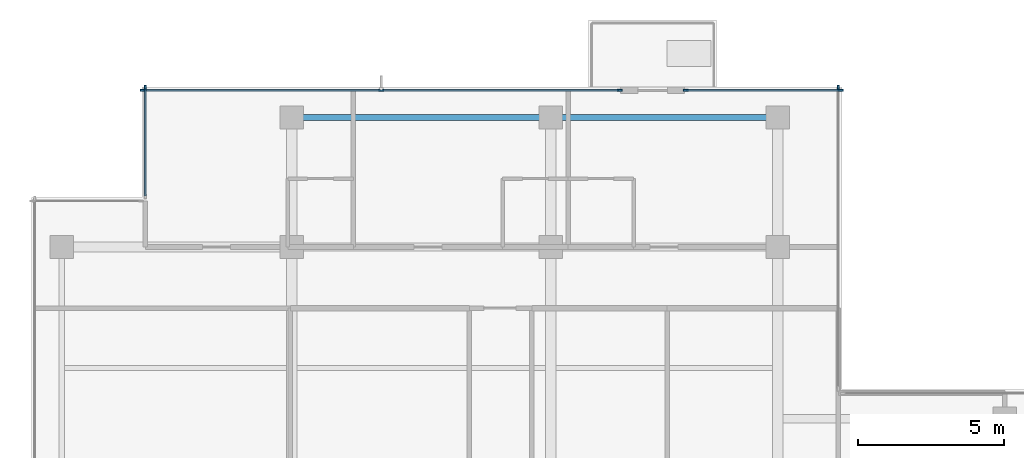
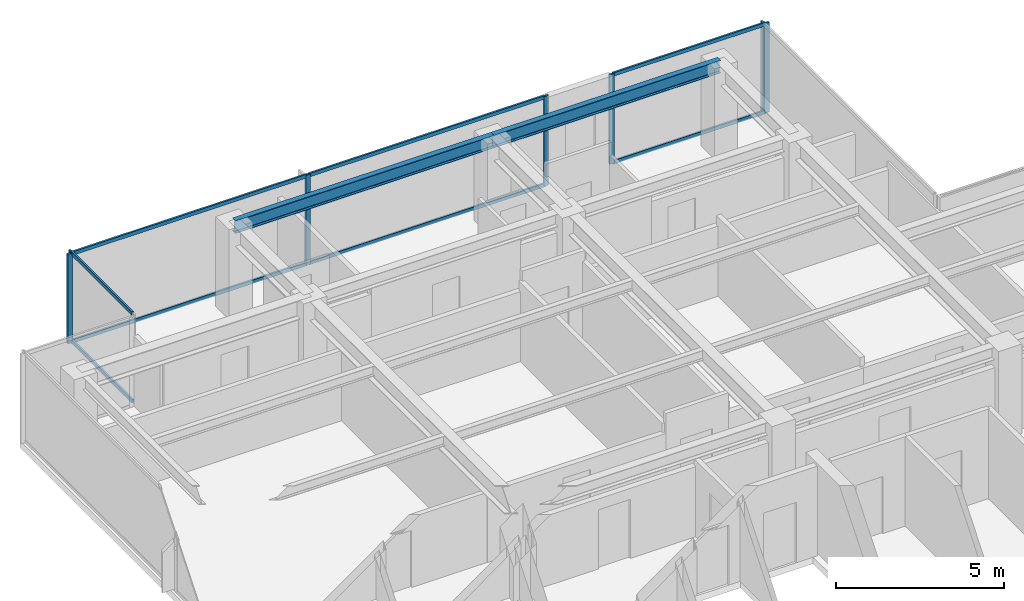
# One storey, part 4 of 11: 15 members, 2 beams, 4 elements without a shape of their own.
"""IFC4 building model written with IfcOpenShell, lengths in metres."""

import ifcopenshell
import ifcopenshell.guid

model = None  # the IFC model being written
_history = None  # IfcOwnerHistory: only IFC2X3 demands one
_inside = {}  # id of a spatial element -> (the spatial element, [elements in it])
_under = {}  # id of a project, library or spatial element -> (it, [spatial elements below it])
_declared = {}  # id of a project -> (the project, [libraries it declares])
_typed = {}  # id of a type object -> (the type object, [elements of that type])
_made_of = {}  # id of a material, layer set ... -> (it, [elements and type objects made of it])


def new_model(schema):
    """Start an empty IFC model of exactly this schema.

    Asked for "IFC4X3", IfcOpenShell would pick the latest addendum, in which some entities
    have other attributes; the version numbers below select the first issue.
    IFC2X3 requires an IfcOwnerHistory on every rooted entity: one is made here for all.
    """
    global model, _history
    if schema == "IFC4X3":
        model = ifcopenshell.file(schema_version=(4, 3, 0, 0))
    else:
        model = ifcopenshell.file(schema=schema)
    _inside.clear()
    _under.clear()
    _declared.clear()
    _typed.clear()
    _made_of.clear()
    _history = None
    if model.schema == "IFC2X3":
        org = make("IfcOrganization", Name="unknown")
        user = make(
            "IfcPersonAndOrganization",
            ThePerson=make("IfcPerson", FamilyName="unknown"),
            TheOrganization=org,
        )
        app = make(
            "IfcApplication",
            ApplicationDeveloper=org,
            Version="unknown",
            ApplicationFullName="unknown",
            ApplicationIdentifier="unknown",
        )
        _history = make(
            "IfcOwnerHistory",
            OwningUser=user,
            OwningApplication=app,
            ChangeAction="ADDED",
            CreationDate=0,
        )
    return model


def make(cls, **values):
    """One entity of the class cls with the attributes given. An attribute that is None is left unset."""
    return model.create_entity(
        cls, **{name: value for name, value in values.items() if value is not None}
    )


def rooted(cls, **values):
    """An entity with a GlobalId (a new one), such as an element, a storey or a relation."""
    return make(cls, GlobalId=ifcopenshell.guid.new(), OwnerHistory=_history, **values)


def si_unit(unit_type, name, prefix=None):
    """IfcSIUnit, for example si_unit("LENGTHUNIT", "METRE", prefix="MILLI")."""
    return make("IfcSIUnit", UnitType=unit_type, Prefix=prefix, Name=name)


def assignment(units):
    """IfcUnitAssignment: the units of a project."""
    return None if units is None else make("IfcUnitAssignment", Units=units)


def point(xyz):
    """IfcCartesianPoint."""
    return None if xyz is None else make("IfcCartesianPoint", Coordinates=xyz)


def direction(xyz):
    """IfcDirection."""
    return None if xyz is None else make("IfcDirection", DirectionRatios=xyz)


def frame(location, z_axis=None, x_axis=None):
    """IfcAxis2Placement3D, a coordinate frame: its origin and axes. An axis left out is left unset."""
    return make(
        "IfcAxis2Placement3D",
        Location=point(location),
        Axis=direction(z_axis),
        RefDirection=direction(x_axis),
    )


def frame_2d(location, x_axis=None):
    """IfcAxis2Placement2D, a coordinate frame in the plane: its origin and x axis."""
    return make(
        "IfcAxis2Placement2D", Location=point(location), RefDirection=direction(x_axis)
    )


def origin():
    """The frame at (0, 0, 0) with its axes left unset."""
    return frame((0.0, 0.0, 0.0))


def origin_2d():
    """The frame at (0, 0) in the plane with its x axis left unset."""
    return frame_2d((0.0, 0.0))


def place(relative_to, where):
    """IfcLocalPlacement: puts the frame where relative to a parent placement (None: the world)."""
    return make(
        "IfcLocalPlacement", PlacementRelTo=relative_to, RelativePlacement=where
    )


def context(
    kind, dimensions, precision=None, world=None, true_north=None, identifier=None
):
    """IfcGeometricRepresentationContext, for example the 3D "Model" context."""
    return make(
        "IfcGeometricRepresentationContext",
        ContextIdentifier=identifier,
        ContextType=kind,
        CoordinateSpaceDimension=dimensions,
        Precision=precision,
        WorldCoordinateSystem=world,
        TrueNorth=true_north,
    )


def subcontext(parent, identifier, kind, view, scale=None):
    """IfcGeometricRepresentationSubContext, for example "Body" below "Model"."""
    return make(
        "IfcGeometricRepresentationSubContext",
        ContextIdentifier=identifier,
        ContextType=kind,
        ParentContext=parent,
        TargetScale=scale,
        TargetView=view,
    )


def project(units=None, contexts=None):
    """IfcProject with its units and contexts."""
    return rooted(
        "IfcProject",
        Name="project",
        RepresentationContexts=contexts,
        UnitsInContext=assignment(units),
    )


def spatial(cls, under=None, at=None, **own):
    """A site, building, storey or space (cls), placed at a placement, below another one or the project."""
    s = rooted(cls, ObjectPlacement=at, **own)
    if under is not None:
        _under.setdefault(under.id(), (under, []))[1].append(s)
    return s


def profile(cls, at=None, kind="AREA", **sizes):
    """A parametric profile (cls). Its sizes go by their IFC names, for example OverallWidth=200.0."""
    return make(cls, ProfileType=kind, Position=at, **sizes)


def rectangle(**sizes):
    """IfcRectangleProfileDef."""
    return profile("IfcRectangleProfileDef", **sizes)


def i_section(**sizes):
    """IfcIShapeProfileDef."""
    return profile("IfcIShapeProfileDef", **sizes)


def extrude(swept, where, along, depth):
    """IfcExtrudedAreaSolid: the profile swept, set in the frame where, extruded along a direction by depth."""
    return make(
        "IfcExtrudedAreaSolid",
        SweptArea=swept,
        Position=where,
        ExtrudedDirection=direction(along),
        Depth=depth,
    )


def shape(context_of_items, identifier, shape_type, items):
    """IfcShapeRepresentation: the items that make up one representation, for example the "Body"."""
    return make(
        "IfcShapeRepresentation",
        ContextOfItems=context_of_items,
        RepresentationIdentifier=identifier,
        RepresentationType=shape_type,
        Items=items,
    )


def material(Name=None, Category=None):
    """IfcMaterial."""
    return make("IfcMaterial", Name=Name, Category=Category)


def layer(
    of_material, thickness, ventilated=None, Name=None, Category=None, Priority=None
):
    """IfcMaterialLayer: one layer of a wall or slab, of a material (None: an air gap)."""
    return make(
        "IfcMaterialLayer",
        Material=of_material,
        LayerThickness=thickness,
        IsVentilated=ventilated,
        Name=Name,
        Category=Category,
        Priority=Priority,
    )


def layer_set(layers, Name=None):
    """IfcMaterialLayerSet."""
    return make("IfcMaterialLayerSet", MaterialLayers=layers, LayerSetName=Name)


def material_profile(
    of_material, cross_section, Name=None, Category=None, Priority=None
):
    """IfcMaterialProfile: a cross section and its material."""
    return make(
        "IfcMaterialProfile",
        Name=Name,
        Material=of_material,
        Profile=cross_section,
        Priority=Priority,
        Category=Category,
    )


def profile_set(profiles, Name=None, composite=None):
    """IfcMaterialProfileSet."""
    return make(
        "IfcMaterialProfileSet",
        Name=Name,
        MaterialProfiles=profiles,
        CompositeProfile=composite,
    )


def made_of(thing, what):
    """Note that an element or type object is made of a material, layer set ...; save() writes the relation."""
    if what is not None:
        _made_of.setdefault(what.id(), (what, []))[1].append(thing)
    return thing


def type_object(cls, material=None, **own):
    """A type object (cls), such as IfcWallType, which elements share."""
    return made_of(rooted(cls, **own), material)


def element(
    cls,
    number,
    at=None,
    inside=None,
    cuts=None,
    type_object=None,
    material=None,
    context=None,
    identifier="Body",
    shape_type=None,
    held_by="IfcProductDefinitionShape",
    body=None,
    shapes=None,
    **own,
):
    """One element of the class cls, such as IfcWall. Its Tag is "e" and its number.

    at: its placement. inside: the storey or other place that contains it. cuts: it is an
    opening in that element (IfcRelVoidsElement). A single representation is given by context,
    identifier, shape_type and body (its items); several are given by shapes. held_by: the class
    of the entity that holds the representations. save() writes the other relations.
    """
    e = rooted(cls, Tag="e%d" % number, ObjectPlacement=at, **own)
    if body is not None:
        shapes = [shape(context, identifier, shape_type, body)]
    if shapes is not None:
        e.Representation = make(held_by, Representations=shapes)
    if inside is not None:
        _inside.setdefault(inside.id(), (inside, []))[1].append(e)
    if cuts is not None:
        rooted(
            "IfcRelVoidsElement", RelatingBuildingElement=cuts, RelatedOpeningElement=e
        )
    if type_object is not None:
        _typed.setdefault(type_object.id(), (type_object, []))[1].append(e)
    return made_of(e, material)


def aggregate(whole, parts):
    """IfcRelAggregates: a whole, such as a stair, and the parts it consists of."""
    return rooted("IfcRelAggregates", RelatingObject=whole, RelatedObjects=parts)


def save(model, path):
    """Write the relations noted so far, then the file.

    IfcRelAggregates (storeys below a building ...), IfcRelContainedInSpatialStructure (elements
    in a storey), IfcRelDefinesByType, IfcRelAssociatesMaterial and IfcRelDeclares: one each for
    every whole, place, type object, material and project.
    """
    for whole, parts in _under.values():
        aggregate(whole, parts)
    for where, things in _inside.values():
        rooted(
            "IfcRelContainedInSpatialStructure",
            RelatedElements=things,
            RelatingStructure=where,
        )
    for kind, things in _typed.values():
        rooted("IfcRelDefinesByType", RelatedObjects=things, RelatingType=kind)
    for what, things in _made_of.values():
        rooted("IfcRelAssociatesMaterial", RelatedObjects=things, RelatingMaterial=what)
    for by, libraries in _declared.values():
        rooted("IfcRelDeclares", RelatingContext=by, RelatedDefinitions=libraries)
    model.write(path)


model = new_model("IFC4")

# Units and contexts
model_context = context("Model", 3, precision=1e-05, world=origin(), true_north=direction((0.0, 1.0)))
body_context = subcontext(model_context, "Body", "Model", "MODEL_VIEW")
ifc_project = project(units=[si_unit("LENGTHUNIT", "METRE"), si_unit("AREAUNIT", "SQUARE_METRE"), si_unit("VOLUMEUNIT", "CUBIC_METRE"), si_unit("PLANEANGLEUNIT", "RADIAN"), si_unit("MASSUNIT", "GRAM", prefix="KILO")], contexts=[model_context])

# Site, building, storey
site_placement = place(None, origin())
site = spatial("IfcSite", under=ifc_project, at=site_placement, CompositionType="ELEMENT")
building_placement = place(site_placement, origin())
building = spatial("IfcBuilding", under=site, at=building_placement, Name="Qalmaran Belvedere Hotel", CompositionType="ELEMENT")
storey_placement = place(building_placement, frame((0.0, 0.0, 270.39990234375)))
storey = spatial("IfcBuildingStorey", under=building, at=storey_placement, Name="L70", CompositionType="ELEMENT", Elevation=270.39990234375)

# Beams
ifc_material_1 = material(Name="Steel S355JR", Category="steel")
ifc_material_profile_1 = material_profile(ifc_material_1, i_section(OverallWidth=0.19189453125, OverallDepth=0.462890625, WebThickness=0.010498046875, FlangeThickness=0.017578125, FilletRadius=0.01611328125, at=origin_2d()), Name="W460X89")
ifc_profile_set_1 = profile_set([ifc_material_profile_1], Name="Steel S355JR")
beam_type = type_object("IfcBeamType", Name="BM-SP2-W460X89", PredefinedType="SPANDREL", material=ifc_profile_set_1)
beam_1_placement = place(storey_placement, frame((20.300048828125, 37.449951171875, 3.028564453125), z_axis=(1.0, 0.0, 0.0), x_axis=(0.0, 1.0, 0.0)))
element("IfcBeam", 1, at=beam_1_placement, inside=storey, type_object=beam_type, Name="L70 Perimeter Spandrel 04", PredefinedType="SPANDREL", context=body_context, shape_type="SweptSolid", body=[
    extrude(i_section(OverallWidth=0.19189453125, OverallDepth=0.462890625, WebThickness=0.010498046875, FlangeThickness=0.017578125, FilletRadius=0.01611328125, at=origin_2d()), origin(), (0.0, 0.0, 1.0), 8.89990234375),
])
beam_2_placement = place(storey_placement, frame((29.199951171875, 37.449951171875, 3.028564453125), z_axis=(1.0, 0.0, 0.0), x_axis=(0.0, 1.0, 0.0)))
element("IfcBeam", 2, at=beam_2_placement, inside=storey, type_object=beam_type, Name="L70 Perimeter Spandrel 05", PredefinedType="SPANDREL", context=body_context, shape_type="SweptSolid", body=[
    extrude(i_section(OverallWidth=0.19189453125, OverallDepth=0.462890625, WebThickness=0.010498046875, FlangeThickness=0.017578125, FilletRadius=0.01611328125, at=origin_2d()), origin(), (0.0, 0.0, 1.0), 7.800048828125),
])

# Curtain wall, member
ifc_material_2 = material(Name="Anodised Bronze Aluminium", Category="aluminium")
ifc_layer = layer(ifc_material_2, 0.18505859375, Name="Anodised Bronze Aluminium")
ifc_layer_set = layer_set([ifc_layer], Name="Anodised Bronze Aluminium")
curtain_wall_type = type_object("IfcCurtainWallType", Name="CW6-TOWER-SKY", PredefinedType="NOTDEFINED", material=ifc_layer_set)
curtain_wall_1_placement = place(storey_placement, origin())
curtain_wall_1 = element("IfcCurtainWall", 3, at=curtain_wall_1_placement, inside=storey, type_object=curtain_wall_type, Name="L70 Curtain Wall CW6", PredefinedType="NOTDEFINED")
ifc_material_profile_2 = material_profile(ifc_material_2, rectangle(XDim=0.06494140625, YDim=0.1650390625, at=origin_2d()), Name="CWM65X165")
ifc_profile_set_2 = profile_set([ifc_material_profile_2], Name="Anodised Bronze Aluminium")
member_type_1 = type_object("IfcMemberType", Name="CWM-65X165", PredefinedType="MULLION", material=ifc_profile_set_2)
member_1_placement = place(storey_placement, frame((39.080078125, 38.467529296875, 0.0), z_axis=(0.0, 0.0, 1.0), x_axis=(-1.0, 0.0, 0.0)))
member_1 = element("IfcMember", 4, at=member_1_placement, type_object=member_type_1, Name="CW6 mullion 2", PredefinedType="MULLION", context=body_context, shape_type="SweptSolid", body=[
    extrude(rectangle(XDim=0.06494140625, YDim=0.1650390625, at=origin_2d()), origin(), (0.0, 0.0, 1.0), 3.260009765625),
])
aggregate(curtain_wall_1, [member_1])

# Curtain wall, members
curtain_wall_2_placement = place(storey_placement, origin())
curtain_wall_2 = element("IfcCurtainWall", 5, at=curtain_wall_2_placement, inside=storey, type_object=curtain_wall_type, Name="L70 Curtain Wall CW6", PredefinedType="NOTDEFINED")
member_2_placement = place(storey_placement, frame((31.5673828125, 38.3798828125, 0.0), z_axis=(0.0, 0.0, 1.0), x_axis=(0.0, -1.0, 0.0)))
member_2 = element("IfcMember", 6, at=member_2_placement, type_object=member_type_1, Name="CW6 mullion 1", PredefinedType="MULLION", context=body_context, shape_type="SweptSolid", body=[
    extrude(rectangle(XDim=0.06494140625, YDim=0.1650390625, at=origin_2d()), origin(), (0.0, 0.0, 1.0), 3.260009765625),
])
member_3_placement = place(storey_placement, frame((23.375, 38.3798828125, 0.0), z_axis=(0.0, 0.0, 1.0), x_axis=(0.0, -1.0, 0.0)))
member_3 = element("IfcMember", 7, at=member_3_placement, type_object=member_type_1, Name="CW6 mullion 2", PredefinedType="MULLION", context=body_context, shape_type="SweptSolid", body=[
    extrude(rectangle(XDim=0.06494140625, YDim=0.1650390625, at=origin_2d()), origin(), (0.0, 0.0, 1.0), 3.260009765625),
])
member_4_placement = place(storey_placement, frame((15.1826171875, 38.3798828125, 0.0), z_axis=(0.0, 0.0, 1.0), x_axis=(0.0, -1.0, 0.0)))
member_4 = element("IfcMember", 8, at=member_4_placement, type_object=member_type_1, Name="CW6 mullion 3", PredefinedType="MULLION", context=body_context, shape_type="SweptSolid", body=[
    extrude(rectangle(XDim=0.06494140625, YDim=0.1650390625, at=origin_2d()), origin(), (0.0, 0.0, 1.0), 3.260009765625),
])

curtain_wall_3_placement = place(storey_placement, origin())
curtain_wall_3 = element("IfcCurtainWall", 9, at=curtain_wall_3_placement, inside=storey, type_object=curtain_wall_type, Name="L70 Curtain Wall CW6", PredefinedType="NOTDEFINED")
member_5_placement = place(storey_placement, frame((39.16748046875, 38.3798828125, 0.0), z_axis=(0.0, 0.0, 1.0), x_axis=(0.0, -1.0, 0.0)))
member_5 = element("IfcMember", 10, at=member_5_placement, type_object=member_type_1, Name="CW6 mullion 1", PredefinedType="MULLION", context=body_context, shape_type="SweptSolid", body=[
    extrude(rectangle(XDim=0.06494140625, YDim=0.1650390625, at=origin_2d()), origin(), (0.0, 0.0, 1.0), 3.260009765625),
])
member_6_placement = place(storey_placement, frame((33.83251953125, 38.3798828125, 0.0), z_axis=(0.0, 0.0, 1.0), x_axis=(0.0, -1.0, 0.0)))
member_6 = element("IfcMember", 11, at=member_6_placement, type_object=member_type_1, Name="CW6 mullion 2", PredefinedType="MULLION", context=body_context, shape_type="SweptSolid", body=[
    extrude(rectangle(XDim=0.06494140625, YDim=0.1650390625, at=origin_2d()), origin(), (0.0, 0.0, 1.0), 3.260009765625),
])

# Curtain wall, member
curtain_wall_4_placement = place(storey_placement, origin())
curtain_wall_4 = element("IfcCurtainWall", 12, at=curtain_wall_4_placement, inside=storey, type_object=curtain_wall_type, Name="L70 Curtain Wall CW6", PredefinedType="NOTDEFINED")
member_7_placement = place(storey_placement, frame((15.27001953125, 38.467529296875, 0.0), z_axis=(0.0, 0.0, 1.0), x_axis=(1.0, 0.0, 0.0)))
member_7 = element("IfcMember", 13, at=member_7_placement, type_object=member_type_1, Name="CW6 mullion 1", PredefinedType="MULLION", context=body_context, shape_type="SweptSolid", body=[
    extrude(rectangle(XDim=0.06494140625, YDim=0.1650390625, at=origin_2d()), origin(), (0.0, 0.0, 1.0), 3.260009765625),
])

# Member
ifc_material_profile_3 = material_profile(ifc_material_2, rectangle(XDim=0.06494140625, YDim=0.1298828125, at=origin_2d()), Name="CWT65X130")
ifc_profile_set_3 = profile_set([ifc_material_profile_3], Name="Anodised Bronze Aluminium")
member_type_2 = type_object("IfcMemberType", Name="CWT-65X130", PredefinedType="USERDEFINED", material=ifc_profile_set_3)
member_8_placement = place(storey_placement, frame((31.534912109375, 38.3798828125, 0.03271484375), z_axis=(-1.0, 0.0, 0.0), x_axis=(0.0, -1.0, 0.0)))
member_8 = element("IfcMember", 14, at=member_8_placement, type_object=member_type_2, Name="CW6 transom 1.1", ObjectType="TRANSOM", PredefinedType="USERDEFINED", context=body_context, shape_type="SweptSolid", body=[
    extrude(rectangle(XDim=0.06494140625, YDim=0.1298828125, at=origin_2d()), origin(), (0.0, 0.0, 1.0), 8.12744140625),
])

member_9_placement = place(storey_placement, frame((31.534912109375, 38.3798828125, 3.2275390625), z_axis=(-1.0, 0.0, 0.0), x_axis=(0.0, -1.0, 0.0)))
member_9 = element("IfcMember", 15, at=member_9_placement, type_object=member_type_2, Name="CW6 transom 1.2", ObjectType="TRANSOM", PredefinedType="USERDEFINED", context=body_context, shape_type="SweptSolid", body=[
    extrude(rectangle(XDim=0.06494140625, YDim=0.1298828125, at=origin_2d()), origin(), (0.0, 0.0, 1.0), 8.12744140625),
])

member_10_placement = place(storey_placement, frame((23.342529296875, 38.3798828125, 0.03271484375), z_axis=(-1.0, 0.0, 0.0), x_axis=(0.0, -1.0, 0.0)))
member_10 = element("IfcMember", 16, at=member_10_placement, type_object=member_type_2, Name="CW6 transom 2.1", ObjectType="TRANSOM", PredefinedType="USERDEFINED", context=body_context, shape_type="SweptSolid", body=[
    extrude(rectangle(XDim=0.06494140625, YDim=0.1298828125, at=origin_2d()), origin(), (0.0, 0.0, 1.0), 8.12744140625),
])

member_11_placement = place(storey_placement, frame((23.342529296875, 38.3798828125, 3.2275390625), z_axis=(-1.0, 0.0, 0.0), x_axis=(0.0, -1.0, 0.0)))
member_11 = element("IfcMember", 17, at=member_11_placement, type_object=member_type_2, Name="CW6 transom 2.2", ObjectType="TRANSOM", PredefinedType="USERDEFINED", context=body_context, shape_type="SweptSolid", body=[
    extrude(rectangle(XDim=0.06494140625, YDim=0.1298828125, at=origin_2d()), origin(), (0.0, 0.0, 1.0), 8.12744140625),
])

aggregate(curtain_wall_2, [member_2, member_3, member_4, member_8, member_9, member_10, member_11])

member_12_placement = place(storey_placement, frame((39.135009765625, 38.3798828125, 0.03271484375), z_axis=(-1.0, 0.0, 0.0), x_axis=(0.0, -1.0, 0.0)))
member_12 = element("IfcMember", 18, at=member_12_placement, type_object=member_type_2, Name="CW6 transom 1.1", ObjectType="TRANSOM", PredefinedType="USERDEFINED", context=body_context, shape_type="SweptSolid", body=[
    extrude(rectangle(XDim=0.06494140625, YDim=0.1298828125, at=origin_2d()), origin(), (0.0, 0.0, 1.0), 5.27001953125),
])

member_13_placement = place(storey_placement, frame((39.135009765625, 38.3798828125, 3.2275390625), z_axis=(-1.0, 0.0, 0.0), x_axis=(0.0, -1.0, 0.0)))
member_13 = element("IfcMember", 19, at=member_13_placement, type_object=member_type_2, Name="CW6 transom 1.2", ObjectType="TRANSOM", PredefinedType="USERDEFINED", context=body_context, shape_type="SweptSolid", body=[
    extrude(rectangle(XDim=0.06494140625, YDim=0.1298828125, at=origin_2d()), origin(), (0.0, 0.0, 1.0), 5.27001953125),
])

aggregate(curtain_wall_3, [member_5, member_6, member_12, member_13])

member_14_placement = place(storey_placement, frame((15.27001953125, 38.43505859375, 0.03271484375), z_axis=(0.0, -1.0, 0.0), x_axis=(1.0, 0.0, 0.0)))
member_14 = element("IfcMember", 20, at=member_14_placement, type_object=member_type_2, Name="CW6 transom 1.1", ObjectType="TRANSOM", PredefinedType="USERDEFINED", context=body_context, shape_type="SweptSolid", body=[
    extrude(rectangle(XDim=0.06494140625, YDim=0.1298828125, at=origin_2d()), origin(), (0.0, 0.0, 1.0), 3.670166015625),
])

member_15_placement = place(storey_placement, frame((15.27001953125, 38.43505859375, 3.2275390625), z_axis=(0.0, -1.0, 0.0), x_axis=(1.0, 0.0, 0.0)))
member_15 = element("IfcMember", 21, at=member_15_placement, type_object=member_type_2, Name="CW6 transom 1.2", ObjectType="TRANSOM", PredefinedType="USERDEFINED", context=body_context, shape_type="SweptSolid", body=[
    extrude(rectangle(XDim=0.06494140625, YDim=0.1298828125, at=origin_2d()), origin(), (0.0, 0.0, 1.0), 3.670166015625),
])

aggregate(curtain_wall_4, [member_7, member_14, member_15])

save(model, "model.ifc")
